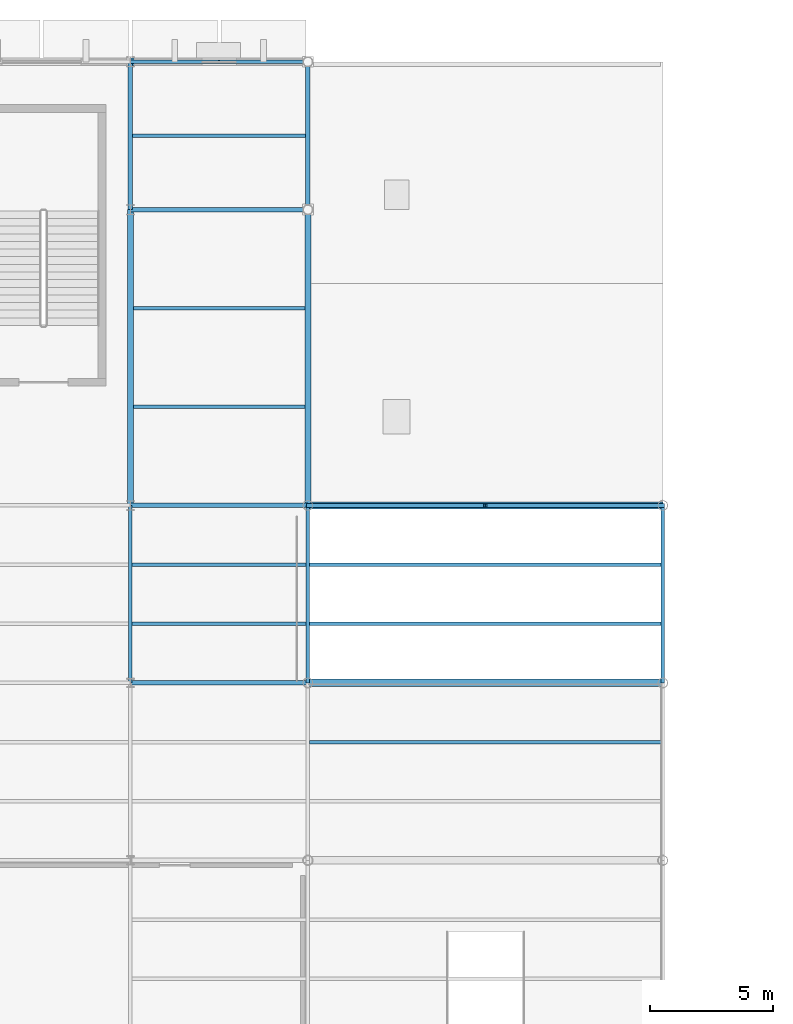
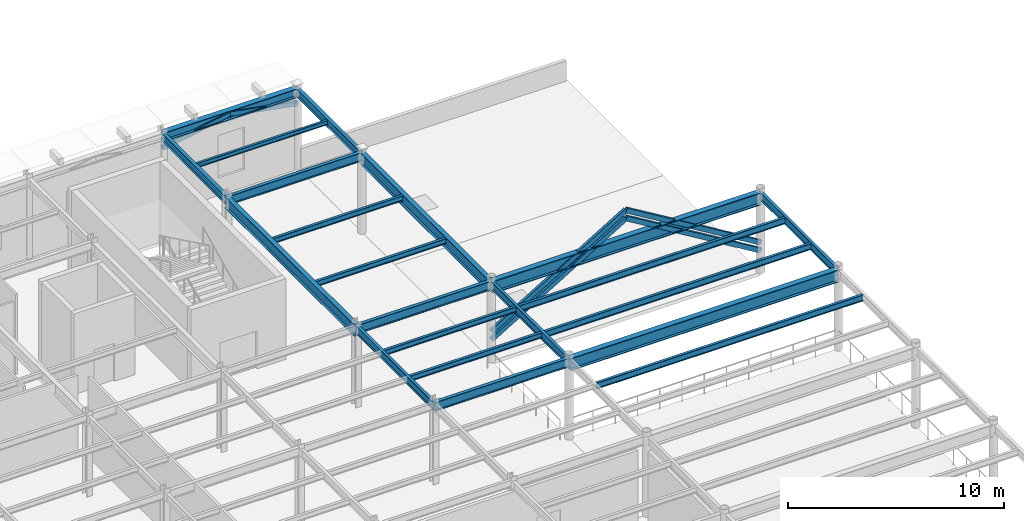
# One storey, part 58 of 126: 21 beams, 6 members.
"""IFC4 building model written with IfcOpenShell, lengths in metres."""

from ifc_helpers import new_model, si_unit, direction, frame, origin, origin_2d, place, context, subcontext, project, spatial, hollow_rectangle, i_section, extrude, material, material_profile, profile_set, type_object, element, save


model = new_model("IFC4")

# Units and contexts
model_context = context("Model", 3, precision=1e-05, world=origin(), true_north=direction((0.0, 1.0)))
body_context = subcontext(model_context, "Body", "Model", "MODEL_VIEW")
ifc_project = project(units=[si_unit("LENGTHUNIT", "METRE"), si_unit("AREAUNIT", "SQUARE_METRE"), si_unit("VOLUMEUNIT", "CUBIC_METRE"), si_unit("PLANEANGLEUNIT", "RADIAN"), si_unit("MASSUNIT", "GRAM", prefix="KILO")], contexts=[model_context])

# Site, building, storey
site_placement = place(None, origin())
site = spatial("IfcSite", under=ifc_project, at=site_placement, CompositionType="ELEMENT")
building_placement = place(site_placement, origin())
building = spatial("IfcBuilding", under=site, at=building_placement, Name="Solvadek Multi-Sports Hall", CompositionType="ELEMENT")
storey_placement = place(building_placement, frame((0.0, 0.0, 9.60009765625)))
storey = spatial("IfcBuildingStorey", under=building, at=storey_placement, Name="L02", CompositionType="ELEMENT", Elevation=9.60009765625)

# Members
ifc_material_1 = material(Name="Steel E350 (350 MPa)", Category="steel")
ifc_material_profile_1 = material_profile(ifc_material_1, hollow_rectangle(XDim=0.14990234375, YDim=0.25, WallThickness=0.010009765625, at=origin_2d()), Name="RHS 250x150x10")
ifc_profile_set_1 = profile_set([ifc_material_profile_1], Name="Steel E350 (350 MPa)")
member_type = type_object("IfcMemberType", Name="STR-ARC-RHS250", PredefinedType="USERDEFINED", material=ifc_profile_set_1)
member_1_placement = place(storey_placement, frame((64.800048828125, 110.39990234375, 3.64990234375), z_axis=(0.9831211258, 0.0, 0.182955874479), x_axis=(0.0, 1.0, 0.0)))
element("IfcMember", 1, at=member_1_placement, inside=storey, type_object=member_type, Name="L02 North Facade Pointed Ottoman Arch 10L", ObjectType="ARCH_SEGMENT", PredefinedType="USERDEFINED", context=body_context, shape_type="SweptSolid", body=[
    extrude(hollow_rectangle(XDim=0.14990234375, YDim=0.25, WallThickness=0.010009765625, at=origin_2d()), origin(), (0.0, 0.0, 1.0), 3.66162109375),
])
member_2_placement = place(storey_placement, frame((68.39990234375, 110.39990234375, 4.31982421875), z_axis=(0.983123357379, 0.0, -0.182943882588), x_axis=(0.0, 1.0, 0.0)))
element("IfcMember", 2, at=member_2_placement, inside=storey, type_object=member_type, Name="L02 North Facade Pointed Ottoman Arch 10R", ObjectType="ARCH_SEGMENT", PredefinedType="USERDEFINED", context=body_context, shape_type="SweptSolid", body=[
    extrude(hollow_rectangle(XDim=0.14990234375, YDim=0.25, WallThickness=0.010009765625, at=origin_2d()), origin(), (0.0, 0.0, 1.0), 3.661865234375),
])
for number, where, z_axis, x_axis, name in (
    (3, (72.0, 92.39990234375, 1.199951171875), (0.855921697192, 0.0, 0.517105451795), (0.0, 1.0, 0.0), "Ottoman Tackapi Portal Pointed Arch N-L"),
    (4, (79.199951171875, 92.39990234375, 5.5498046875), (0.855921697192, 0.0, -0.517105451795), (0.0, 1.0, 0.0), "Ottoman Tackapi Portal Pointed Arch N-R"),
):
    element("IfcMember", number, at=place(storey_placement, frame(where, z_axis=z_axis, x_axis=x_axis)), inside=storey, type_object=member_type, Name=name, ObjectType="ARCH_SEGMENT", PredefinedType="USERDEFINED", context=body_context, shape_type="SweptSolid", body=[
        extrude(hollow_rectangle(XDim=0.14990234375, YDim=0.25, WallThickness=0.010009765625, at=origin_2d()), origin(), (0.0, 0.0, 1.0), 8.411865234375),
    ])
for number, where, z_axis, x_axis, name in (
    (5, (72.0, 92.39990234375, 1.64990234375), (0.855908851423, 0.0, 0.517126713732), (0.0, 1.0, 0.0), "Ottoman Tackapi Portal Pointed Arch N-L"),
    (6, (79.199951171875, 92.39990234375, 6.0), (0.855908851423, 0.0, -0.517126713732), (0.0, 1.0, 0.0), "Ottoman Tackapi Portal Pointed Arch N-R"),
):
    element("IfcMember", number, at=place(storey_placement, frame(where, z_axis=z_axis, x_axis=x_axis)), inside=storey, type_object=member_type, Name=name, ObjectType="ARCH_SEGMENT", PredefinedType="USERDEFINED", context=body_context, shape_type="SweptSolid", body=[
        extrude(hollow_rectangle(XDim=0.14990234375, YDim=0.25, WallThickness=0.010009765625, at=origin_2d()), origin(), (0.0, 0.0, 1.0), 8.412109375),
    ])

# Beams
ifc_material_profile_2 = material_profile(ifc_material_1, i_section(OverallWidth=0.14990234375, OverallDepth=0.449951171875, WebThickness=0.009521484375, FlangeThickness=0.017333984375, at=origin_2d()), Name="ISMB 450")
ifc_profile_set_2 = profile_set([ifc_material_profile_2], Name="Steel E350 (350 MPa)")
beam_type_1 = type_object("IfcBeamType", Name="STR-BM-ISMB450", PredefinedType="BEAM", material=ifc_profile_set_2)
for number, where, z_axis, x_axis, name in (
    (7, (64.800048828125, 85.199951171875, 4.3349609375), (0.0, 1.0, 0.0), (-1.0, 0.0, 0.0), "L02 Girder B-09 #1548"),
    (8, (72.0, 85.199951171875, 4.3349609375), (0.0, 1.0, 0.0), (-1.0, 0.0, 0.0), "L02 Girder B-09 #1569"),
    (9, (86.39990234375, 85.199951171875, 4.3349609375), (0.0, 1.0, 0.0), (-1.0, 0.0, 0.0), "L02 Girder B-09 #1587"),
):
    element("IfcBeam", number, at=place(storey_placement, frame(where, z_axis=z_axis, x_axis=x_axis)), inside=storey, type_object=beam_type_1, Name=name, PredefinedType="BEAM", context=body_context, shape_type="SweptSolid", body=[
        extrude(i_section(OverallWidth=0.14990234375, OverallDepth=0.449951171875, WebThickness=0.009521484375, FlangeThickness=0.017333984375, at=origin_2d()), origin(), (0.0, 0.0, 1.0), 7.199951171875),
    ])
ifc_material_profile_3 = material_profile(ifc_material_1, i_section(OverallWidth=0.179931640625, OverallDepth=0.5, WebThickness=0.01025390625, FlangeThickness=0.01708984375, at=origin_2d()), Name="ISMB 500")
ifc_profile_set_3 = profile_set([ifc_material_profile_3], Name="Steel E350 (350 MPa)")
beam_type_2 = type_object("IfcBeamType", Name="STR-BM-ISMB500", PredefinedType="BEAM", material=ifc_profile_set_3)
for number, where, z_axis, x_axis, name in (
    (10, (64.800048828125, 85.199951171875, 4.309814453125), (1.0, 0.0, 0.0), (0.0, 1.0, 0.0), "L02 Girder B-07 #1415"),
    (11, (64.800048828125, 92.39990234375, 4.309814453125), (1.0, 0.0, 0.0), (0.0, 1.0, 0.0), "L02 Girder B-07 #1426"),
    (12, (64.800048828125, 104.39990234375, 4.309814453125), (1.0, 0.0, 0.0), (0.0, 1.0, 0.0), "L02 Girder B-07 #1436"),
):
    element("IfcBeam", number, at=place(storey_placement, frame(where, z_axis=z_axis, x_axis=x_axis)), inside=storey, type_object=beam_type_2, Name=name, PredefinedType="BEAM", context=body_context, shape_type="SweptSolid", body=[
        extrude(i_section(OverallWidth=0.179931640625, OverallDepth=0.5, WebThickness=0.01025390625, FlangeThickness=0.01708984375, at=origin_2d()), origin(), (0.0, 0.0, 1.0), 7.199951171875),
    ])
ifc_material_profile_4 = material_profile(ifc_material_1, i_section(OverallWidth=0.18994140625, OverallDepth=0.449951171875, WebThickness=0.009521484375, FlangeThickness=0.0146484375, at=origin_2d()), Name="NPB 450")
ifc_profile_set_4 = profile_set([ifc_material_profile_4], Name="Steel E350 (350 MPa)")
beam_type_3 = type_object("IfcBeamType", Name="STR-BM-NPB450", PredefinedType="BEAM", material=ifc_profile_set_4)
for number, where, z_axis, x_axis, name in (
    (13, (64.800048828125, 104.39990234375, 4.3349609375), (0.0, 1.0, 0.0), (-1.0, 0.0, 0.0), "L02 Girder B-08 #1550"),
    (14, (72.0, 104.39990234375, 4.3349609375), (0.0, 1.0, 0.0), (-1.0, 0.0, 0.0), "L02 Girder B-08 #1571"),
):
    element("IfcBeam", number, at=place(storey_placement, frame(where, z_axis=z_axis, x_axis=x_axis)), inside=storey, type_object=beam_type_3, Name=name, PredefinedType="BEAM", context=body_context, shape_type="SweptSolid", body=[
        extrude(i_section(OverallWidth=0.18994140625, OverallDepth=0.449951171875, WebThickness=0.009521484375, FlangeThickness=0.0146484375, at=origin_2d()), origin(), (0.0, 0.0, 1.0), 6.0),
    ])
ifc_material_profile_5 = material_profile(ifc_material_1, i_section(OverallWidth=0.239990234375, OverallDepth=0.64990234375, WebThickness=0.0126953125, FlangeThickness=0.0205078125, at=origin_2d()), Name="NPB 650")
ifc_profile_set_5 = profile_set([ifc_material_profile_5], Name="Steel E350 (350 MPa)")
beam_type_4 = type_object("IfcBeamType", Name="STR-BM-NPB650", PredefinedType="BEAM", material=ifc_profile_set_5)
for number, where, z_axis, x_axis, name in (
    (15, (64.800048828125, 92.39990234375, 4.23486328125), (0.0, 1.0, 0.0), (-1.0, 0.0, 0.0), "L02 Girder B-03 #1549"),
    (16, (72.0, 92.39990234375, 4.23486328125), (0.0, 1.0, 0.0), (-1.0, 0.0, 0.0), "L02 Girder B-03 #1570"),
):
    element("IfcBeam", number, at=place(storey_placement, frame(where, z_axis=z_axis, x_axis=x_axis)), inside=storey, type_object=beam_type_4, Name=name, PredefinedType="BEAM", context=body_context, shape_type="SweptSolid", body=[
        extrude(i_section(OverallWidth=0.239990234375, OverallDepth=0.64990234375, WebThickness=0.0126953125, FlangeThickness=0.0205078125, at=origin_2d()), origin(), (0.0, 0.0, 1.0), 12.0),
    ])
ifc_material_profile_6 = material_profile(ifc_material_1, i_section(OverallWidth=0.300048828125, OverallDepth=0.699951171875, WebThickness=0.01708984375, FlangeThickness=0.031982421875, at=origin_2d()), Name="WPB 700")
ifc_profile_set_6 = profile_set([ifc_material_profile_6], Name="Steel E350 (350 MPa)")
beam_type_5 = type_object("IfcBeamType", Name="STR-BM-WPB700", PredefinedType="BEAM", material=ifc_profile_set_6)
for number, where, z_axis, x_axis, name in (
    (17, (72.0, 85.199951171875, 4.2099609375), (1.0, 0.0, 0.0), (0.0, 1.0, 0.0), "L02 Girder B-01 #1416"),
    (18, (72.0, 92.39990234375, 4.2099609375), (1.0, 0.0, 0.0), (0.0, 1.0, 0.0), "L02 Girder B-01 #1427"),
):
    element("IfcBeam", number, at=place(storey_placement, frame(where, z_axis=z_axis, x_axis=x_axis)), inside=storey, type_object=beam_type_5, Name=name, PredefinedType="BEAM", context=body_context, shape_type="SweptSolid", body=[
        extrude(i_section(OverallWidth=0.300048828125, OverallDepth=0.699951171875, WebThickness=0.01708984375, FlangeThickness=0.031982421875, at=origin_2d()), origin(), (0.0, 0.0, 1.0), 14.39990234375),
    ])
ifc_material_2 = material(Name="Steel E250 (250 MPa)", Category="steel")
ifc_material_profile_7 = material_profile(ifc_material_2, i_section(OverallWidth=0.125, OverallDepth=0.25, WebThickness=0.0068359375, FlangeThickness=0.012451171875, at=origin_2d()), Name="ISMB 250")
ifc_profile_set_7 = profile_set([ifc_material_profile_7], Name="Steel E250 (250 MPa)")
beam_type_6 = type_object("IfcBeamType", Name="STR-JST-ISMB250", PredefinedType="JOIST", material=ifc_profile_set_7)
beam_1_placement = place(storey_placement, frame((64.89501953125, 107.39990234375, 4.434814453125), z_axis=(1.0, 0.0, 0.0), x_axis=(0.0, 1.0, 0.0)))
element("IfcBeam", 19, at=beam_1_placement, inside=storey, type_object=beam_type_6, Name="L02 Composite Joist J-04 #903", PredefinedType="JOIST", context=body_context, shape_type="SweptSolid", body=[
    extrude(i_section(OverallWidth=0.125, OverallDepth=0.25, WebThickness=0.0068359375, FlangeThickness=0.012451171875, at=origin_2d()), origin(), (0.0, 0.0, 1.0), 7.010009765625),
])
ifc_material_profile_8 = material_profile(ifc_material_1, i_section(OverallWidth=0.139892578125, OverallDepth=0.300048828125, WebThickness=0.0078125, FlangeThickness=0.01318359375, at=origin_2d()), Name="ISMB 300")
ifc_profile_set_8 = profile_set([ifc_material_profile_8], Name="Steel E350 (350 MPa)")
beam_type_7 = type_object("IfcBeamType", Name="STR-JST-ISMB300", PredefinedType="JOIST", material=ifc_profile_set_8)
for number, where, z_axis, x_axis, name in (
    (20, (64.875, 87.60009765625, 4.409912109375), (1.0, 0.0, 0.0), (0.0, 1.0, 0.0), "L02 Composite Joist J-03 #874"),
    (21, (64.875, 90.0, 4.409912109375), (1.0, 0.0, 0.0), (0.0, 1.0, 0.0), "L02 Composite Joist J-03 #875"),
):
    element("IfcBeam", number, at=place(storey_placement, frame(where, z_axis=z_axis, x_axis=x_axis)), inside=storey, type_object=beam_type_7, Name=name, PredefinedType="JOIST", context=body_context, shape_type="SweptSolid", body=[
        extrude(i_section(OverallWidth=0.139892578125, OverallDepth=0.300048828125, WebThickness=0.0078125, FlangeThickness=0.01318359375, at=origin_2d()), origin(), (0.0, 0.0, 1.0), 7.050048828125),
    ])
for number, where, z_axis, x_axis, name in (
    (22, (64.919921875, 96.39990234375, 4.409912109375), (1.0, 0.0, 0.0), (0.0, 1.0, 0.0), "L02 Composite Joist J-03 #893"),
    (23, (64.919921875, 100.39990234375, 4.409912109375), (1.0, 0.0, 0.0), (0.0, 1.0, 0.0), "L02 Composite Joist J-03 #894"),
):
    element("IfcBeam", number, at=place(storey_placement, frame(where, z_axis=z_axis, x_axis=x_axis)), inside=storey, type_object=beam_type_7, Name=name, PredefinedType="JOIST", context=body_context, shape_type="SweptSolid", body=[
        extrude(i_section(OverallWidth=0.139892578125, OverallDepth=0.300048828125, WebThickness=0.0078125, FlangeThickness=0.01318359375, at=origin_2d()), origin(), (0.0, 0.0, 1.0), 6.9599609375),
    ])
ifc_material_profile_9 = material_profile(ifc_material_1, i_section(OverallWidth=0.139892578125, OverallDepth=0.35009765625, WebThickness=0.008056640625, FlangeThickness=0.01416015625, at=origin_2d()), Name="ISMB 350")
ifc_profile_set_9 = profile_set([ifc_material_profile_9], Name="Steel E350 (350 MPa)")
beam_type_8 = type_object("IfcBeamType", Name="STR-JST-ISMB350", PredefinedType="JOIST", material=ifc_profile_set_9)
for number, where, z_axis, x_axis, name in (
    (24, (72.074951171875, 82.800048828125, 4.385009765625), (1.0, 0.0, 0.0), (0.0, 1.0, 0.0), "L02 Composite Joist J-01 #855"),
    (25, (72.074951171875, 87.60009765625, 4.385009765625), (1.0, 0.0, 0.0), (0.0, 1.0, 0.0), "L02 Composite Joist J-01 #876"),
    (26, (72.074951171875, 90.0, 4.385009765625), (1.0, 0.0, 0.0), (0.0, 1.0, 0.0), "L02 Composite Joist J-01 #877"),
):
    element("IfcBeam", number, at=place(storey_placement, frame(where, z_axis=z_axis, x_axis=x_axis)), inside=storey, type_object=beam_type_8, Name=name, PredefinedType="JOIST", context=body_context, shape_type="SweptSolid", body=[
        extrude(i_section(OverallWidth=0.139892578125, OverallDepth=0.35009765625, WebThickness=0.008056640625, FlangeThickness=0.01416015625, at=origin_2d()), origin(), (0.0, 0.0, 1.0), 14.25),
    ])
ifc_material_profile_10 = material_profile(ifc_material_1, i_section(OverallWidth=0.300048828125, OverallDepth=0.5, WebThickness=0.014404296875, FlangeThickness=0.028076171875, at=origin_2d()), Name="WPB 500")
ifc_profile_set_10 = profile_set([ifc_material_profile_10], Name="Steel E350 (350 MPa)")
beam_type_9 = type_object("IfcBeamType", Name="STR-SPN-WPB500", PredefinedType="SPANDREL", material=ifc_profile_set_10)
beam_2_placement = place(storey_placement, frame((64.800048828125, 110.39990234375, 4.309814453125), z_axis=(1.0, 0.0, 0.0), x_axis=(0.0, 1.0, 0.0)))
element("IfcBeam", 27, at=beam_2_placement, inside=storey, type_object=beam_type_9, Name="L02 Girder SP-01 #1446", PredefinedType="SPANDREL", context=body_context, shape_type="SweptSolid", body=[
    extrude(i_section(OverallWidth=0.300048828125, OverallDepth=0.5, WebThickness=0.014404296875, FlangeThickness=0.028076171875, at=origin_2d()), origin(), (0.0, 0.0, 1.0), 7.199951171875),
])

save(model, "model.ifc")
